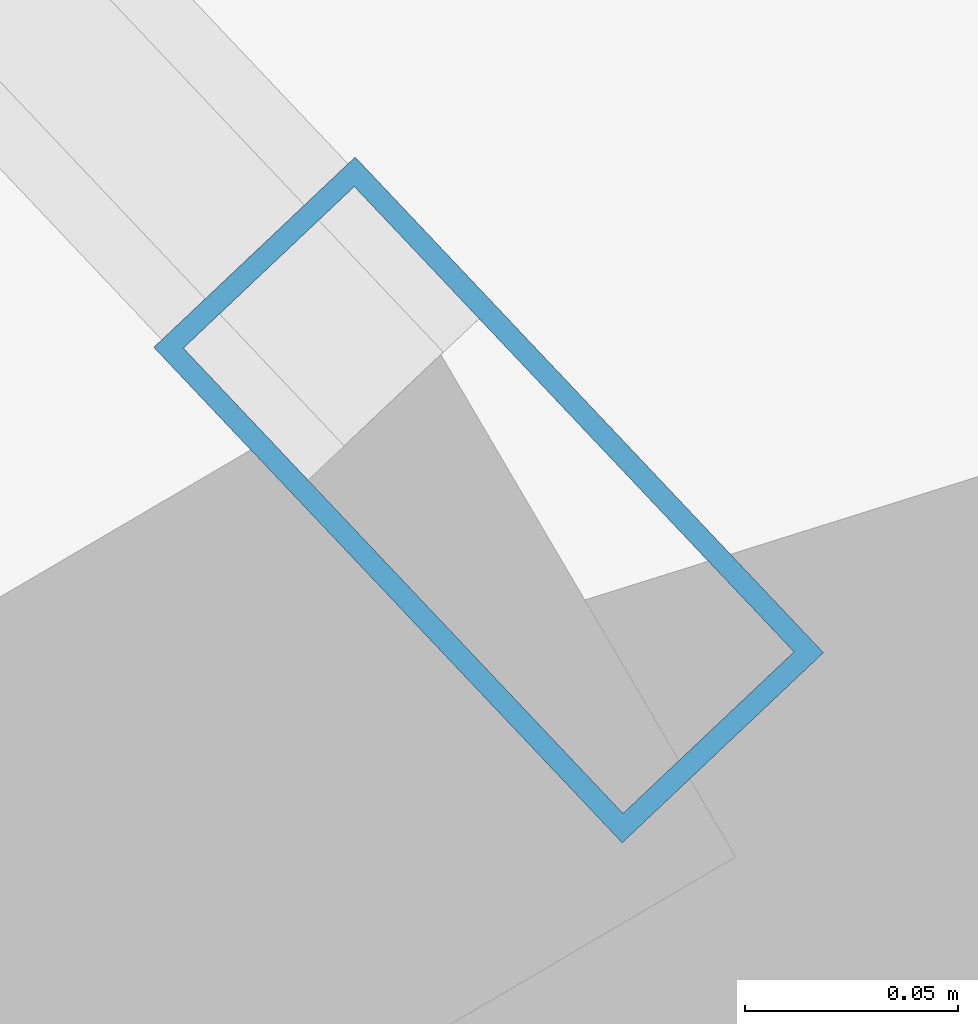
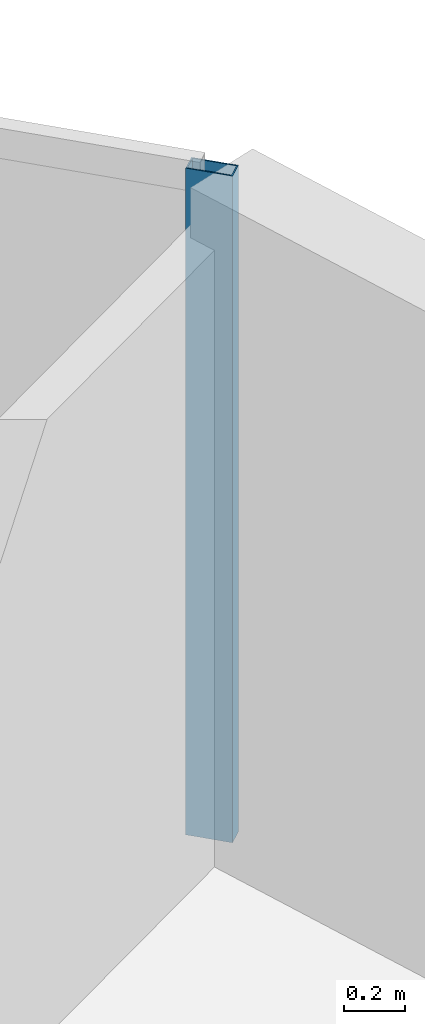
# One storey, part 6 of 14: 1 member, 1 element without a shape of its own.
"""IFC4 building model written with IfcOpenShell, lengths in metres."""

from ifc_helpers import new_model, si_unit, direction, frame, origin, origin_2d, place, context, subcontext, project, spatial, hollow_rectangle, extrude, material, layer, layer_set, material_profile, profile_set, type_object, element, aggregate, save


model = new_model("IFC4")

# Units and contexts
model_context = context("Model", 3, precision=1e-05, world=origin(), true_north=direction((0.0, 1.0)))
body_context = subcontext(model_context, "Body", "Model", "MODEL_VIEW")
ifc_project = project(units=[si_unit("LENGTHUNIT", "METRE"), si_unit("AREAUNIT", "SQUARE_METRE"), si_unit("VOLUMEUNIT", "CUBIC_METRE"), si_unit("PLANEANGLEUNIT", "RADIAN"), si_unit("MASSUNIT", "GRAM", prefix="KILO"), si_unit("THERMODYNAMICTEMPERATUREUNIT", "KELVIN"), si_unit("POWERUNIT", "WATT")], contexts=[model_context])

# Site, building, storey
site_placement = place(None, origin())
site = spatial("IfcSite", under=ifc_project, at=site_placement, CompositionType="ELEMENT")
building_placement = place(site_placement, origin())
building = spatial("IfcBuilding", under=site, at=building_placement, Name="Ocrelia Relay Tower", CompositionType="ELEMENT")
storey_placement = place(building_placement, frame((0.0, 0.0, 162.800048828125)))
storey = spatial("IfcBuildingStorey", under=building, at=storey_placement, Name="L38", CompositionType="ELEMENT", Elevation=162.800048828125)

# Curtain wall, member
ifc_material_1 = material(Name="Aluminium and solar-control low-E glass", Category="aluminium")
ifc_layer = layer(ifc_material_1, 0.179931640625, Name="Aluminium and solar-control low-E glass")
ifc_layer_set = layer_set([ifc_layer], Name="Aluminium and solar-control low-E glass")
curtain_wall_type = type_object("IfcCurtainWallType", Name="CW-SYS-Z3-CLOU", PredefinedType="NOTDEFINED", material=ifc_layer_set)
curtain_wall_placement = place(storey_placement, origin())
curtain_wall = element("IfcCurtainWall", 1, at=curtain_wall_placement, inside=storey, type_object=curtain_wall_type, Name="L38 Elliptical Tower Curtain Wall Bay 01", PredefinedType="NOTDEFINED")
ifc_material_2 = material(Name="Anodised bronze aluminium", Category="aluminium")
ifc_material_profile = material_profile(ifc_material_2, hollow_rectangle(XDim=0.06494140625, YDim=0.159912109375, WallThickness=0.0048828125, at=origin_2d()), Name="CW-MUL-160x65")
ifc_profile_set = profile_set([ifc_material_profile], Name="Anodised bronze aluminium")
member_type = type_object("IfcMemberType", Name="CW-SYS-Z3-CLOU-MUL", PredefinedType="MULLION", material=ifc_profile_set)
member_placement = place(storey_placement, frame((54.160400390625, 37.86474609375, 0.0), z_axis=(0.0, 0.0, 1.0), x_axis=(-0.726807863727, -0.686840832526, 0.0)))
member = element("IfcMember", 2, at=member_placement, type_object=member_type, Name="CW-Z3 mullion 1", PredefinedType="MULLION", context=body_context, shape_type="SweptSolid", body=[
    extrude(hollow_rectangle(XDim=0.06494140625, YDim=0.159912109375, WallThickness=0.0048828125, at=origin_2d()), origin(), (0.0, 0.0, 1.0), 2.659912109375),
])
aggregate(curtain_wall, [member])

save(model, "model.ifc")
